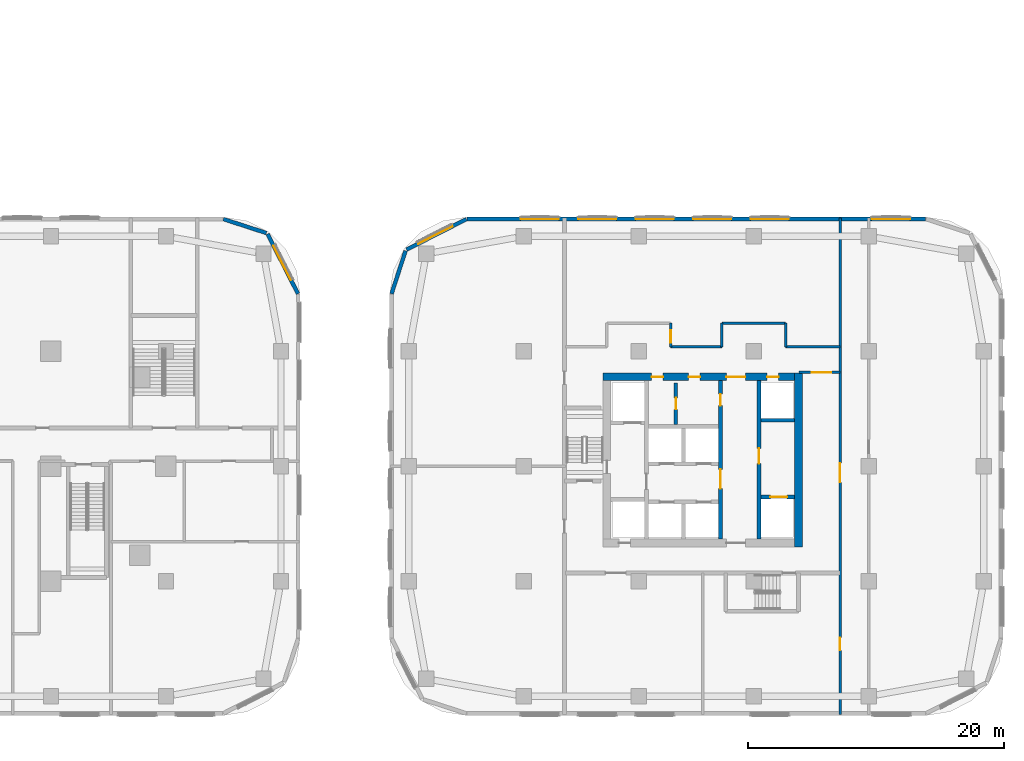
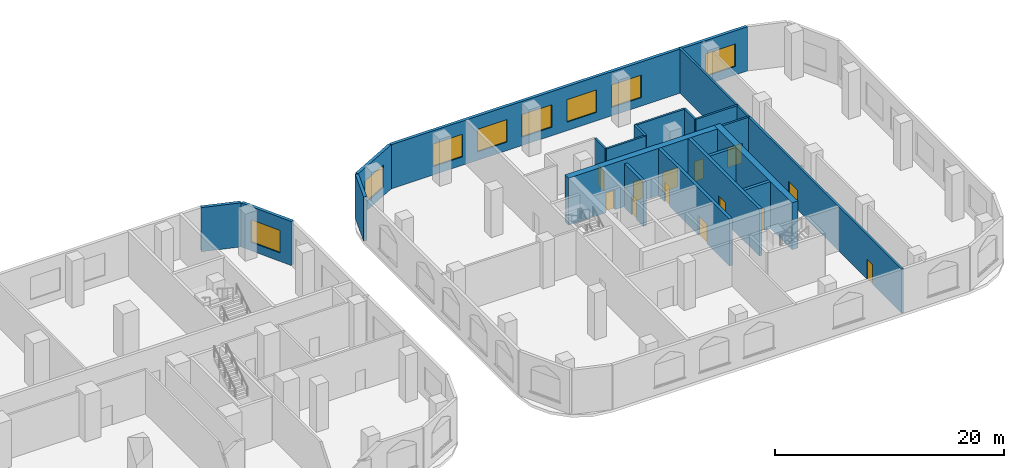
# One storey, part 10 of 31: 20 walls, 13 doors, 8 windows, 21 openings.
"""IFC4 building model written with IfcOpenShell, lengths in metres."""

from ifc_helpers import new_model, si_unit, direction, frame, frame_2d, origin, place, context, subcontext, project, spatial, rectangle, extrude, material, layer, layer_set, type_object, element, fill, save


model = new_model("IFC4")

# Units and contexts
model_context = context("Model", 3, precision=1e-05, world=origin(), true_north=direction((0.0, 1.0)))
body_context = subcontext(model_context, "Body", "Model", "MODEL_VIEW")
ifc_project = project(units=[si_unit("LENGTHUNIT", "METRE"), si_unit("AREAUNIT", "SQUARE_METRE"), si_unit("VOLUMEUNIT", "CUBIC_METRE"), si_unit("PLANEANGLEUNIT", "RADIAN"), si_unit("MASSUNIT", "GRAM", prefix="KILO")], contexts=[model_context])

# Site, building, storey
site_placement = place(None, origin())
site = spatial("IfcSite", under=ifc_project, at=site_placement, CompositionType="ELEMENT")
building_placement = place(site_placement, origin())
building = spatial("IfcBuilding", under=site, at=building_placement, Name="Ogive Portal Towers", CompositionType="ELEMENT")
storey_placement = place(building_placement, frame((0.0, 0.0, 13.5)))
storey = spatial("IfcBuildingStorey", under=building, at=storey_placement, Name="L02", CompositionType="ELEMENT", Elevation=13.5)

# Wall, openings, doors
ifc_material_1 = material(Name="Concrete C60/75", Category="concrete")
ifc_layer_1 = layer(ifc_material_1, 0.300048828125)
ifc_layer_set_1 = layer_set([ifc_layer_1], Name="CORE WALL 300 C60")
wall_type_1 = type_object("IfcWallType", Name="CORE WALL 300 C60", PredefinedType="SHEAR", material=ifc_layer_set_1)
wall_1_placement = place(storey_placement, frame((137.89990234375, 24.800048828125, 0.0), z_axis=(0.0, 0.0, 1.0), x_axis=(0.0, 1.0, 0.0)))
wall_1 = element("IfcWall", 1, at=wall_1_placement, inside=storey, type_object=wall_type_1, Name="Tower B core wall BX2 L02", PredefinedType="SHEAR", context=body_context, shape_type="SweptSolid", body=[
    extrude(rectangle(XDim=12.39990234375, YDim=0.300048828125, at=frame_2d((6.199951171875, 0.0))), origin(), (0.0, 0.0, 1.0), 5.0),
])
opening_1_placement = place(wall_1_placement, frame((3.949951171875, 0.0, 0.0)))
opening_1 = element("IfcOpeningElement", 2, at=opening_1_placement, cuts=wall_1, Name="Opening P02-040", PredefinedType="OPENING", context=body_context, shape_type="SweptSolid", body=[
    extrude(rectangle(XDim=1.5, YDim=2.10009765625, at=frame_2d((0.75, 1.050048828125))), frame((0.0, 0.16015625, 0.0), z_axis=(0.0, -1.0, 0.0), x_axis=(1.0, 0.0, 0.0)), (0.0, 0.0, 1.0), 0.320068359375),
])
opening_2_placement = place(wall_1_placement, frame((10.449951171875, 0.0, 0.0)))
opening_2 = element("IfcOpeningElement", 3, at=opening_2_placement, cuts=wall_1, Name="Opening P02-056", PredefinedType="OPENING", context=body_context, shape_type="SweptSolid", body=[
    extrude(rectangle(XDim=0.89990234375, YDim=2.10009765625, at=frame_2d((0.449951171875, 1.050048828125))), frame((0.0, 0.16015625, 0.0), z_axis=(0.0, -1.0, 0.0), x_axis=(1.0, 0.0, 0.0)), (0.0, 0.0, 1.0), 0.320068359375),
])
ifc_material_2 = material(Name="Steel fire door", Category="steel")
door_type_1 = type_object("IfcDoorType", Name="DT-SWING-1500x2100-FD90S", OperationType="SINGLE_SWING_LEFT", PredefinedType="DOOR", material=ifc_material_2)
door_1_placement = place(opening_1_placement, origin())
door_1 = element("IfcDoor", 4, at=door_1_placement, inside=storey, type_object=door_type_1, Name="Door P02-040", OperationType="SINGLE_SWING_RIGHT", OverallHeight=2.10009765625, OverallWidth=1.5, PredefinedType="DOOR", context=body_context, shape_type="SweptSolid", body=[
    extrude(rectangle(XDim=1.5, YDim=2.10009765625, at=frame_2d((0.75, 1.050048828125))), frame((0.0, 0.02490234375, 0.0), z_axis=(0.0, -1.0, 0.0), x_axis=(1.0, 0.0, 0.0)), (0.0, 0.0, 1.0), 0.050048828125),
])
fill(opening_1, door_1)
door_type_2 = type_object("IfcDoorType", Name="DT-SWING-900x2100-FD90S", OperationType="SINGLE_SWING_LEFT", PredefinedType="DOOR", material=ifc_material_2)
door_2_placement = place(opening_2_placement, origin())
door_2 = element("IfcDoor", 5, at=door_2_placement, inside=storey, type_object=door_type_2, Name="Door P02-056", OperationType="SINGLE_SWING_RIGHT", OverallHeight=2.10009765625, OverallWidth=0.89990234375, PredefinedType="DOOR", context=body_context, shape_type="SweptSolid", body=[
    extrude(rectangle(XDim=0.89990234375, YDim=2.10009765625, at=frame_2d((0.449951171875, 1.050048828125))), frame((0.0, 0.02490234375, 0.0), z_axis=(0.0, -1.0, 0.0), x_axis=(1.0, 0.0, 0.0)), (0.0, 0.0, 1.0), 0.050048828125),
])
fill(opening_2, door_2)

# Wall, opening, door
wall_2_placement = place(storey_placement, frame((140.89990234375, 24.800048828125, 0.0), z_axis=(0.0, 0.0, 1.0), x_axis=(0.0, 1.0, 0.0)))
wall_2 = element("IfcWall", 6, at=wall_2_placement, inside=storey, type_object=wall_type_1, Name="Tower B core wall BX3 L02", PredefinedType="SHEAR", context=body_context, shape_type="SweptSolid", body=[
    extrude(rectangle(XDim=12.39990234375, YDim=0.300048828125, at=frame_2d((6.199951171875, 0.0))), origin(), (0.0, 0.0, 1.0), 5.0),
])
opening_3_placement = place(wall_2_placement, frame((5.89990234375, 0.0, 0.0)))
opening_3 = element("IfcOpeningElement", 7, at=opening_3_placement, cuts=wall_2, Name="Opening P02-042", PredefinedType="OPENING", context=body_context, shape_type="SweptSolid", body=[
    extrude(rectangle(XDim=1.199951171875, YDim=2.10009765625, at=frame_2d((0.60009765625, 1.050048828125))), frame((0.0, 0.16015625, 0.0), z_axis=(0.0, -1.0, 0.0), x_axis=(1.0, 0.0, 0.0)), (0.0, 0.0, 1.0), 0.320068359375),
])
door_type_3 = type_object("IfcDoorType", Name="DT-SWING-1200x2100-FD90S", OperationType="SINGLE_SWING_LEFT", PredefinedType="DOOR", material=ifc_material_2)
door_3_placement = place(opening_3_placement, origin())
door_3 = element("IfcDoor", 8, at=door_3_placement, inside=storey, type_object=door_type_3, Name="Door P02-042", OperationType="SINGLE_SWING_RIGHT", OverallHeight=2.10009765625, OverallWidth=1.199951171875, PredefinedType="DOOR", context=body_context, shape_type="SweptSolid", body=[
    extrude(rectangle(XDim=1.199951171875, YDim=2.10009765625, at=frame_2d((0.60009765625, 1.050048828125))), frame((0.0, 0.02490234375, 0.0), z_axis=(0.0, -1.0, 0.0), x_axis=(1.0, 0.0, 0.0)), (0.0, 0.0, 1.0), 0.050048828125),
])
fill(opening_3, door_3)

wall_3_placement = place(storey_placement, frame((141.050048828125, 28.10009765625, 0.0), z_axis=(0.0, 0.0, 1.0), x_axis=(1.0, 0.0, 0.0)))
wall_3 = element("IfcWall", 9, at=wall_3_placement, inside=storey, type_object=wall_type_1, Name="Tower B core wall BY6 L02", PredefinedType="SHEAR", context=body_context, shape_type="SweptSolid", body=[
    extrude(rectangle(XDim=2.64990234375, YDim=0.300048828125, at=frame_2d((1.324951171875, 0.0))), origin(), (0.0, 0.0, 1.0), 5.0),
])
opening_4_placement = place(wall_3_placement, frame((0.75, 0.0, 0.0)))
opening_4 = element("IfcOpeningElement", 10, at=opening_4_placement, cuts=wall_3, Name="Opening P02-053", PredefinedType="OPENING", context=body_context, shape_type="SweptSolid", body=[
    extrude(rectangle(XDim=1.300048828125, YDim=2.39990234375, at=frame_2d((0.64990234375, 1.199951171875))), frame((0.0, 0.16015625, 0.0), z_axis=(0.0, -1.0, 0.0), x_axis=(1.0, 0.0, 0.0)), (0.0, 0.0, 1.0), 0.320068359375),
])
ifc_material_3 = material(Name="Stainless steel", Category="steel")
door_type_4 = type_object("IfcDoorType", Name="DT-LD-1300x2400", OperationType="SLIDING_TO_LEFT", PredefinedType="DOOR", material=ifc_material_3)
door_4_placement = place(opening_4_placement, origin())
door_4 = element("IfcDoor", 11, at=door_4_placement, inside=storey, type_object=door_type_4, Name="Door P02-053", OperationType="SLIDING_TO_LEFT", OverallHeight=2.39990234375, OverallWidth=1.300048828125, PredefinedType="DOOR", context=body_context, shape_type="SweptSolid", body=[
    extrude(rectangle(XDim=1.300048828125, YDim=2.39990234375, at=frame_2d((0.64990234375, 1.199951171875))), frame((0.0, 0.02490234375, 0.0), z_axis=(0.0, -1.0, 0.0), x_axis=(1.0, 0.0, 0.0)), (0.0, 0.0, 1.0), 0.050048828125),
])
fill(opening_4, door_4)

# Walls
wall_4_placement = place(storey_placement, frame((141.050048828125, 34.10009765625, 0.0), z_axis=(0.0, 0.0, 1.0), x_axis=(1.0, 0.0, 0.0)))
element("IfcWall", 12, at=wall_4_placement, inside=storey, type_object=wall_type_1, Name="Tower B core wall BY7 L02", PredefinedType="SHEAR", context=body_context, shape_type="SweptSolid", body=[
    extrude(rectangle(XDim=2.64990234375, YDim=0.300048828125, at=frame_2d((1.324951171875, 0.0))), origin(), (0.0, 0.0, 1.0), 5.0),
])
ifc_layer_2 = layer(ifc_material_1, 0.60009765625)
ifc_layer_set_2 = layer_set([ifc_layer_2], Name="CORE WALL 600 C60")
wall_type_2 = type_object("IfcWallType", Name="CORE WALL 600 C60", PredefinedType="SHEAR", material=ifc_layer_set_2)
wall_5_placement = place(storey_placement, frame((144.0, 24.199951171875, 0.0), z_axis=(0.0, 0.0, 1.0), x_axis=(0.0, 1.0, 0.0)))
element("IfcWall", 13, at=wall_5_placement, inside=storey, type_object=wall_type_2, Name="Tower B core wall BE L02", PredefinedType="SHEAR", context=body_context, shape_type="SweptSolid", body=[
    extrude(rectangle(XDim=13.60009765625, YDim=0.60009765625, at=frame_2d((6.800048828125, 0.0))), origin(), (0.0, 0.0, 1.0), 5.0),
])

# Wall, openings, doors
wall_6_placement = place(storey_placement, frame((128.699951171875, 37.5, 0.0), z_axis=(0.0, 0.0, 1.0), x_axis=(1.0, 0.0, 0.0)))
wall_6 = element("IfcWall", 14, at=wall_6_placement, inside=storey, type_object=wall_type_2, Name="Tower B core wall BN L02", PredefinedType="SHEAR", context=body_context, shape_type="SweptSolid", body=[
    extrude(rectangle(XDim=15.0, YDim=0.60009765625, at=frame_2d((7.5, 0.0))), origin(), (0.0, 0.0, 1.0), 5.0),
])
opening_5_placement = place(wall_6_placement, frame((9.64990234375, 0.0, 0.0)))
opening_5 = element("IfcOpeningElement", 15, at=opening_5_placement, cuts=wall_6, Name="Opening P02-045", PredefinedType="OPENING", context=body_context, shape_type="SweptSolid", body=[
    extrude(rectangle(XDim=1.5, YDim=2.10009765625, at=frame_2d((0.75, 1.050048828125))), frame((0.0, 0.31005859375, 0.0), z_axis=(0.0, -1.0, 0.0), x_axis=(1.0, 0.0, 0.0)), (0.0, 0.0, 1.0), 0.6201171875),
])
opening_6_placement = place(wall_6_placement, frame((12.85009765625, 0.0, 0.0)))
opening_6 = element("IfcOpeningElement", 16, at=opening_6_placement, cuts=wall_6, Name="Opening P02-047", PredefinedType="OPENING", context=body_context, shape_type="SweptSolid", body=[
    extrude(rectangle(XDim=0.89990234375, YDim=2.10009765625, at=frame_2d((0.449951171875, 1.050048828125))), frame((0.0, 0.31005859375, 0.0), z_axis=(0.0, -1.0, 0.0), x_axis=(1.0, 0.0, 0.0)), (0.0, 0.0, 1.0), 0.6201171875),
])
opening_7_placement = place(wall_6_placement, frame((3.800048828125, 0.0, 0.0)))
opening_7 = element("IfcOpeningElement", 17, at=opening_7_placement, cuts=wall_6, Name="Opening P02-054", PredefinedType="OPENING", context=body_context, shape_type="SweptSolid", body=[
    extrude(rectangle(XDim=0.89990234375, YDim=2.10009765625, at=frame_2d((0.449951171875, 1.050048828125))), frame((0.0, 0.31005859375, 0.0), z_axis=(0.0, -1.0, 0.0), x_axis=(1.0, 0.0, 0.0)), (0.0, 0.0, 1.0), 0.6201171875),
])
opening_8_placement = place(wall_6_placement, frame((6.699951171875, 0.0, 0.0)))
opening_8 = element("IfcOpeningElement", 18, at=opening_8_placement, cuts=wall_6, Name="Opening P02-055", PredefinedType="OPENING", context=body_context, shape_type="SweptSolid", body=[
    extrude(rectangle(XDim=0.89990234375, YDim=2.10009765625, at=frame_2d((0.449951171875, 1.050048828125))), frame((0.0, 0.31005859375, 0.0), z_axis=(0.0, -1.0, 0.0), x_axis=(1.0, 0.0, 0.0)), (0.0, 0.0, 1.0), 0.6201171875),
])
door_5_placement = place(opening_5_placement, origin())
door_5 = element("IfcDoor", 19, at=door_5_placement, inside=storey, type_object=door_type_1, Name="Door P02-045", OperationType="SINGLE_SWING_RIGHT", OverallHeight=2.10009765625, OverallWidth=1.5, PredefinedType="DOOR", context=body_context, shape_type="SweptSolid", body=[
    extrude(rectangle(XDim=1.5, YDim=2.10009765625, at=frame_2d((0.75, 1.050048828125))), frame((0.0, 0.02490234375, 0.0), z_axis=(0.0, -1.0, 0.0), x_axis=(1.0, 0.0, 0.0)), (0.0, 0.0, 1.0), 0.050048828125),
])
fill(opening_5, door_5)
door_6_placement = place(opening_6_placement, origin())
door_6 = element("IfcDoor", 20, at=door_6_placement, inside=storey, type_object=door_type_2, Name="Riser access door P02-047", OperationType="SINGLE_SWING_RIGHT", OverallHeight=2.10009765625, OverallWidth=0.89990234375, PredefinedType="DOOR", context=body_context, shape_type="SweptSolid", body=[
    extrude(rectangle(XDim=0.89990234375, YDim=2.10009765625, at=frame_2d((0.449951171875, 1.050048828125))), frame((0.0, 0.02490234375, 0.0), z_axis=(0.0, -1.0, 0.0), x_axis=(1.0, 0.0, 0.0)), (0.0, 0.0, 1.0), 0.050048828125),
])
fill(opening_6, door_6)
door_7_placement = place(opening_7_placement, origin())
door_7 = element("IfcDoor", 21, at=door_7_placement, inside=storey, type_object=door_type_2, Name="Door P02-054", OperationType="SINGLE_SWING_LEFT", OverallHeight=2.10009765625, OverallWidth=0.89990234375, PredefinedType="DOOR", context=body_context, shape_type="SweptSolid", body=[
    extrude(rectangle(XDim=0.89990234375, YDim=2.10009765625, at=frame_2d((0.449951171875, 1.050048828125))), frame((0.0, 0.02490234375, 0.0), z_axis=(0.0, -1.0, 0.0), x_axis=(1.0, 0.0, 0.0)), (0.0, 0.0, 1.0), 0.050048828125),
])
fill(opening_7, door_7)
door_8_placement = place(opening_8_placement, origin())
door_8 = element("IfcDoor", 22, at=door_8_placement, inside=storey, type_object=door_type_2, Name="Door P02-055", OperationType="SINGLE_SWING_RIGHT", OverallHeight=2.10009765625, OverallWidth=0.89990234375, PredefinedType="DOOR", context=body_context, shape_type="SweptSolid", body=[
    extrude(rectangle(XDim=0.89990234375, YDim=2.10009765625, at=frame_2d((0.449951171875, 1.050048828125))), frame((0.0, 0.02490234375, 0.0), z_axis=(0.0, -1.0, 0.0), x_axis=(1.0, 0.0, 0.0)), (0.0, 0.0, 1.0), 0.050048828125),
])
fill(opening_8, door_8)

# Wall, opening, window
ifc_material_4 = material(Name="Limestone cladding on lightweight block wall", Category="masonry")
ifc_layer_3 = layer(ifc_material_4, 0.300048828125)
ifc_layer_set_3 = layer_set([ifc_layer_3], Name="EXTERNAL WALL 300 STONE")
wall_type_3 = type_object("IfcWallType", Name="EXTERNAL WALL 300 STONE", PredefinedType="SOLIDWALL", material=ifc_layer_set_3)
wall_7_placement = place(storey_placement, frame((104.833740234375, 43.99609375, 0.0), z_axis=(0.0, 0.0, 1.0), x_axis=(-0.454006562826, 0.890998339455, 0.0)))
wall_7 = element("IfcWall", 23, at=wall_7_placement, inside=storey, type_object=wall_type_3, Name="A:L02:f06:w0", PredefinedType="SOLIDWALL", context=body_context, shape_type="SweptSolid", body=[
    extrude(rectangle(XDim=5.251708984375, YDim=0.300048828125, at=frame_2d((2.6259765625, 0.0))), origin(), (0.0, 0.0, 1.0), 4.699951171875),
])
opening_9_placement = place(wall_7_placement, frame((1.223876953125, 0.0, 0.89990234375)))
opening_9 = element("IfcOpeningElement", 24, at=opening_9_placement, cuts=wall_7, Name="Opening WN3", PredefinedType="OPENING", context=body_context, shape_type="SweptSolid", body=[
    extrude(rectangle(XDim=3.0, YDim=2.39990234375, at=frame_2d((1.5, 1.199951171875))), frame((0.0, 0.16015625, 0.0), z_axis=(0.0, -1.0, 0.0), x_axis=(1.0, 0.0, 0.0)), (0.0, 0.0, 1.0), 0.320068359375),
])
ifc_material_5 = material(Name="Glass, clear low-iron insulated glazing", Category="glass")
window_type = type_object("IfcWindowType", Name="WINDOW PODIUM 3000x2400", PartitioningType="SINGLE_PANEL", PredefinedType="WINDOW", material=ifc_material_5)
window_1_placement = place(opening_9_placement, origin())
window_1 = element("IfcWindow", 25, at=window_1_placement, inside=storey, type_object=window_type, Name="A:L02:f06:w0:o0", OverallHeight=2.39990234375, OverallWidth=3.0, PartitioningType="SINGLE_PANEL", PredefinedType="WINDOW", context=body_context, shape_type="SweptSolid", body=[
    extrude(rectangle(XDim=3.0, YDim=2.39990234375, at=frame_2d((1.5, 1.199951171875))), frame((0.0, 0.030029296875, 0.0), z_axis=(0.0, -1.0, 0.0), x_axis=(1.0, 0.0, 0.0)), (0.0, 0.0, 1.0), 0.06005859375),
])
fill(opening_9, window_1)

# Wall
wall_8_placement = place(storey_placement, frame((102.362060546875, 48.749755859375, 0.0), z_axis=(0.0, 0.0, 1.0), x_axis=(-0.951038127287, 0.309073584194, 0.0)))
element("IfcWall", 26, at=wall_8_placement, inside=storey, type_object=wall_type_3, Name="A:L02:f07:w0", PredefinedType="SOLIDWALL", context=body_context, shape_type="SweptSolid", body=[
    extrude(rectangle(XDim=3.536376953125, YDim=0.300048828125, at=frame_2d((1.76806640625, 0.0))), origin(), (0.0, 0.0, 1.0), 4.699951171875),
])

# Wall, openings, windows
wall_9_placement = place(storey_placement, frame((153.952392578125, 49.85009765625, 0.0), z_axis=(0.0, 0.0, 1.0), x_axis=(-1.0, 0.0, 0.0)))
wall_9 = element("IfcWall", 27, at=wall_9_placement, inside=storey, type_object=wall_type_3, Name="B:L02:f08:w0", PredefinedType="SOLIDWALL", context=body_context, shape_type="SweptSolid", body=[
    extrude(rectangle(XDim=35.88037109375, YDim=0.300048828125, at=frame_2d((17.940185546875, 0.0))), origin(), (0.0, 0.0, 1.0), 4.699951171875),
])
opening_10_placement = place(wall_9_placement, frame((1.226318359375, 0.0, 0.89990234375)))
opening_10 = element("IfcOpeningElement", 28, at=opening_10_placement, cuts=wall_9, Name="Opening WN3", PredefinedType="OPENING", context=body_context, shape_type="SweptSolid", body=[
    extrude(rectangle(XDim=3.0, YDim=2.39990234375, at=frame_2d((1.5, 1.199951171875))), frame((0.0, 0.16015625, 0.0), z_axis=(0.0, -1.0, 0.0), x_axis=(1.0, 0.0, 0.0)), (0.0, 0.0, 1.0), 0.320068359375),
])
opening_11_placement = place(wall_9_placement, frame((10.702392578125, 0.0, 0.89990234375)))
opening_11 = element("IfcOpeningElement", 29, at=opening_11_placement, cuts=wall_9, Name="Opening WN3", PredefinedType="OPENING", context=body_context, shape_type="SweptSolid", body=[
    extrude(rectangle(XDim=3.0, YDim=2.39990234375, at=frame_2d((1.5, 1.199951171875))), frame((0.0, 0.16015625, 0.0), z_axis=(0.0, -1.0, 0.0), x_axis=(1.0, 0.0, 0.0)), (0.0, 0.0, 1.0), 0.320068359375),
])
opening_12_placement = place(wall_9_placement, frame((15.202392578125, 0.0, 0.89990234375)))
opening_12 = element("IfcOpeningElement", 30, at=opening_12_placement, cuts=wall_9, Name="Opening WN3", PredefinedType="OPENING", context=body_context, shape_type="SweptSolid", body=[
    extrude(rectangle(XDim=3.0, YDim=2.39990234375, at=frame_2d((1.5, 1.199951171875))), frame((0.0, 0.16015625, 0.0), z_axis=(0.0, -1.0, 0.0), x_axis=(1.0, 0.0, 0.0)), (0.0, 0.0, 1.0), 0.320068359375),
])
opening_13_placement = place(wall_9_placement, frame((19.702392578125, 0.0, 0.89990234375)))
opening_13 = element("IfcOpeningElement", 31, at=opening_13_placement, cuts=wall_9, Name="Opening WN3", PredefinedType="OPENING", context=body_context, shape_type="SweptSolid", body=[
    extrude(rectangle(XDim=3.0, YDim=2.39990234375, at=frame_2d((1.5, 1.199951171875))), frame((0.0, 0.16015625, 0.0), z_axis=(0.0, -1.0, 0.0), x_axis=(1.0, 0.0, 0.0)), (0.0, 0.0, 1.0), 0.320068359375),
])
opening_14_placement = place(wall_9_placement, frame((24.202392578125, 0.0, 0.89990234375)))
opening_14 = element("IfcOpeningElement", 32, at=opening_14_placement, cuts=wall_9, Name="Opening WN3", PredefinedType="OPENING", context=body_context, shape_type="SweptSolid", body=[
    extrude(rectangle(XDim=3.0, YDim=2.39990234375, at=frame_2d((1.5, 1.199951171875))), frame((0.0, 0.16015625, 0.0), z_axis=(0.0, -1.0, 0.0), x_axis=(1.0, 0.0, 0.0)), (0.0, 0.0, 1.0), 0.320068359375),
])
opening_15_placement = place(wall_9_placement, frame((28.702392578125, 0.0, 0.89990234375)))
opening_15 = element("IfcOpeningElement", 33, at=opening_15_placement, cuts=wall_9, Name="Opening WN3", PredefinedType="OPENING", context=body_context, shape_type="SweptSolid", body=[
    extrude(rectangle(XDim=3.0, YDim=2.39990234375, at=frame_2d((1.5, 1.199951171875))), frame((0.0, 0.16015625, 0.0), z_axis=(0.0, -1.0, 0.0), x_axis=(1.0, 0.0, 0.0)), (0.0, 0.0, 1.0), 0.320068359375),
])
window_2_placement = place(opening_10_placement, origin())
window_2 = element("IfcWindow", 34, at=window_2_placement, inside=storey, type_object=window_type, Name="B:L02:f08:w0:o0", OverallHeight=2.39990234375, OverallWidth=3.0, PartitioningType="SINGLE_PANEL", PredefinedType="WINDOW", context=body_context, shape_type="SweptSolid", body=[
    extrude(rectangle(XDim=3.0, YDim=2.39990234375, at=frame_2d((1.5, 1.199951171875))), frame((0.0, 0.030029296875, 0.0), z_axis=(0.0, -1.0, 0.0), x_axis=(1.0, 0.0, 0.0)), (0.0, 0.0, 1.0), 0.06005859375),
])
fill(opening_10, window_2)
window_3_placement = place(opening_11_placement, origin())
window_3 = element("IfcWindow", 35, at=window_3_placement, inside=storey, type_object=window_type, Name="B:L02:f08:w0:o1b", OverallHeight=2.39990234375, OverallWidth=3.0, PartitioningType="SINGLE_PANEL", PredefinedType="WINDOW", context=body_context, shape_type="SweptSolid", body=[
    extrude(rectangle(XDim=3.0, YDim=2.39990234375, at=frame_2d((1.5, 1.199951171875))), frame((0.0, 0.030029296875, 0.0), z_axis=(0.0, -1.0, 0.0), x_axis=(1.0, 0.0, 0.0)), (0.0, 0.0, 1.0), 0.06005859375),
])
fill(opening_11, window_3)
window_4_placement = place(opening_12_placement, origin())
window_4 = element("IfcWindow", 36, at=window_4_placement, inside=storey, type_object=window_type, Name="B:L02:f08:w0:o2a", OverallHeight=2.39990234375, OverallWidth=3.0, PartitioningType="SINGLE_PANEL", PredefinedType="WINDOW", context=body_context, shape_type="SweptSolid", body=[
    extrude(rectangle(XDim=3.0, YDim=2.39990234375, at=frame_2d((1.5, 1.199951171875))), frame((0.0, 0.030029296875, 0.0), z_axis=(0.0, -1.0, 0.0), x_axis=(1.0, 0.0, 0.0)), (0.0, 0.0, 1.0), 0.06005859375),
])
fill(opening_12, window_4)
window_5_placement = place(opening_13_placement, origin())
window_5 = element("IfcWindow", 37, at=window_5_placement, inside=storey, type_object=window_type, Name="B:L02:f08:w0:o2b", OverallHeight=2.39990234375, OverallWidth=3.0, PartitioningType="SINGLE_PANEL", PredefinedType="WINDOW", context=body_context, shape_type="SweptSolid", body=[
    extrude(rectangle(XDim=3.0, YDim=2.39990234375, at=frame_2d((1.5, 1.199951171875))), frame((0.0, 0.030029296875, 0.0), z_axis=(0.0, -1.0, 0.0), x_axis=(1.0, 0.0, 0.0)), (0.0, 0.0, 1.0), 0.06005859375),
])
fill(opening_13, window_5)
window_6_placement = place(opening_14_placement, origin())
window_6 = element("IfcWindow", 38, at=window_6_placement, inside=storey, type_object=window_type, Name="B:L02:f08:w0:o3a", OverallHeight=2.39990234375, OverallWidth=3.0, PartitioningType="SINGLE_PANEL", PredefinedType="WINDOW", context=body_context, shape_type="SweptSolid", body=[
    extrude(rectangle(XDim=3.0, YDim=2.39990234375, at=frame_2d((1.5, 1.199951171875))), frame((0.0, 0.030029296875, 0.0), z_axis=(0.0, -1.0, 0.0), x_axis=(1.0, 0.0, 0.0)), (0.0, 0.0, 1.0), 0.06005859375),
])
fill(opening_14, window_6)
window_7_placement = place(opening_15_placement, origin())
window_7 = element("IfcWindow", 39, at=window_7_placement, inside=storey, type_object=window_type, Name="B:L02:f08:w0:o3b", OverallHeight=2.39990234375, OverallWidth=3.0, PartitioningType="SINGLE_PANEL", PredefinedType="WINDOW", context=body_context, shape_type="SweptSolid", body=[
    extrude(rectangle(XDim=3.0, YDim=2.39990234375, at=frame_2d((1.5, 1.199951171875))), frame((0.0, 0.030029296875, 0.0), z_axis=(0.0, -1.0, 0.0), x_axis=(1.0, 0.0, 0.0)), (0.0, 0.0, 1.0), 0.06005859375),
])
fill(opening_15, window_7)

# Wall, opening, window
wall_10_placement = place(storey_placement, frame((118.00390625, 49.833740234375, 0.0), z_axis=(0.0, 0.0, 1.0), x_axis=(-0.890998339455, -0.454006562826, 0.0)))
wall_10 = element("IfcWall", 40, at=wall_10_placement, inside=storey, type_object=wall_type_3, Name="B:L02:f09:w0", PredefinedType="SOLIDWALL", context=body_context, shape_type="SweptSolid", body=[
    extrude(rectangle(XDim=5.251708984375, YDim=0.300048828125, at=frame_2d((2.6259765625, 0.0))), origin(), (0.0, 0.0, 1.0), 4.699951171875),
])
opening_16_placement = place(wall_10_placement, frame((1.223876953125, 0.0, 0.89990234375)))
opening_16 = element("IfcOpeningElement", 41, at=opening_16_placement, cuts=wall_10, Name="Opening WN3", PredefinedType="OPENING", context=body_context, shape_type="SweptSolid", body=[
    extrude(rectangle(XDim=3.0, YDim=2.39990234375, at=frame_2d((1.5, 1.199951171875))), frame((0.0, 0.16015625, 0.0), z_axis=(0.0, -1.0, 0.0), x_axis=(1.0, 0.0, 0.0)), (0.0, 0.0, 1.0), 0.320068359375),
])
window_8_placement = place(opening_16_placement, origin())
window_8 = element("IfcWindow", 42, at=window_8_placement, inside=storey, type_object=window_type, Name="B:L02:f09:w0:o0", OverallHeight=2.39990234375, OverallWidth=3.0, PartitioningType="SINGLE_PANEL", PredefinedType="WINDOW", context=body_context, shape_type="SweptSolid", body=[
    extrude(rectangle(XDim=3.0, YDim=2.39990234375, at=frame_2d((1.5, 1.199951171875))), frame((0.0, 0.030029296875, 0.0), z_axis=(0.0, -1.0, 0.0), x_axis=(1.0, 0.0, 0.0)), (0.0, 0.0, 1.0), 0.06005859375),
])
fill(opening_16, window_8)

# Wall
wall_11_placement = place(storey_placement, frame((113.250244140625, 47.362060546875, 0.0), z_axis=(0.0, 0.0, 1.0), x_axis=(-0.309073584194, -0.951038127287, 0.0)))
element("IfcWall", 43, at=wall_11_placement, inside=storey, type_object=wall_type_3, Name="B:L02:f10:w0", PredefinedType="SOLIDWALL", context=body_context, shape_type="SweptSolid", body=[
    extrude(rectangle(XDim=3.536376953125, YDim=0.300048828125, at=frame_2d((1.76806640625, 0.0))), origin(), (0.0, 0.0, 1.0), 4.699951171875),
])

# Wall, opening, door
ifc_material_6 = material(Name="Gypsum board partition on steel studs", Category="steel")
ifc_layer_4 = layer(ifc_material_6, 0.199951171875)
ifc_layer_set_4 = layer_set([ifc_layer_4], Name="WT-PART-200-EI 60")
wall_type_4 = type_object("IfcWallType", Name="WT-PART-200-EI 60", PredefinedType="PARTITIONING", material=ifc_layer_set_4)
wall_12_placement = place(storey_placement, frame((144.02001953125, 37.85009765625, 0.0), z_axis=(0.0, 0.0, 1.0), x_axis=(1.0, 0.0, 0.0)))
wall_12 = element("IfcWall", 44, at=wall_12_placement, inside=storey, type_object=wall_type_4, Name="Wall L02:w019", PredefinedType="PARTITIONING", context=body_context, shape_type="SweptSolid", body=[
    extrude(rectangle(XDim=3.22998046875, YDim=0.199951171875, at=frame_2d((1.614990234375, 0.0))), origin(), (0.0, 0.0, 1.0), 4.699951171875),
])
opening_17_placement = place(wall_12_placement, frame((1.030029296875, 0.0, 0.0)))
opening_17 = element("IfcOpeningElement", 45, at=opening_17_placement, cuts=wall_12, Name="Opening P02-029", PredefinedType="OPENING", context=body_context, shape_type="SweptSolid", body=[
    extrude(rectangle(XDim=1.5, YDim=2.10009765625, at=frame_2d((0.75, 1.050048828125))), frame((0.0, 0.10986328125, 0.0), z_axis=(0.0, -1.0, 0.0), x_axis=(1.0, 0.0, 0.0)), (0.0, 0.0, 1.0), 0.219970703125),
])
door_type_5 = type_object("IfcDoorType", Name="DT-SWING-1500x2100-FD60S", OperationType="SINGLE_SWING_LEFT", PredefinedType="DOOR", material=ifc_material_2)
door_9_placement = place(opening_17_placement, origin())
door_9 = element("IfcDoor", 46, at=door_9_placement, inside=storey, type_object=door_type_5, Name="Door P02-029", OperationType="SINGLE_SWING_LEFT", OverallHeight=2.10009765625, OverallWidth=1.5, PredefinedType="DOOR", context=body_context, shape_type="SweptSolid", body=[
    extrude(rectangle(XDim=1.5, YDim=2.10009765625, at=frame_2d((0.75, 1.050048828125))), frame((0.0, 0.02490234375, 0.0), z_axis=(0.0, -1.0, 0.0), x_axis=(1.0, 0.0, 0.0)), (0.0, 0.0, 1.0), 0.050048828125),
])
fill(opening_17, door_9)

# Walls
wall_13_placement = place(storey_placement, frame((134.0, 39.85009765625, 0.0), z_axis=(0.0, 0.0, 1.0), x_axis=(1.0, 0.0, 0.0)))
element("IfcWall", 47, at=wall_13_placement, inside=storey, type_object=wall_type_4, Name="Wall L02:w023", PredefinedType="PARTITIONING", context=body_context, shape_type="SweptSolid", body=[
    extrude(rectangle(XDim=4.0, YDim=0.199951171875, at=frame_2d((2.0, 0.0))), origin(), (0.0, 0.0, 1.0), 4.699951171875),
])
wall_14_placement = place(storey_placement, frame((143.0, 39.85009765625, 0.0), z_axis=(0.0, 0.0, 1.0), x_axis=(1.0, 0.0, 0.0)))
element("IfcWall", 48, at=wall_14_placement, inside=storey, type_object=wall_type_4, Name="Wall L02:w024", PredefinedType="PARTITIONING", context=body_context, shape_type="SweptSolid", body=[
    extrude(rectangle(XDim=4.25, YDim=0.199951171875, at=frame_2d((2.125, 0.0))), origin(), (0.0, 0.0, 1.0), 4.699951171875),
])
wall_15_placement = place(storey_placement, frame((138.0, 41.699951171875, 0.0), z_axis=(0.0, 0.0, 1.0), x_axis=(1.0, 0.0, 0.0)))
element("IfcWall", 49, at=wall_15_placement, inside=storey, type_object=wall_type_4, Name="Wall L02:w026", PredefinedType="PARTITIONING", context=body_context, shape_type="SweptSolid", body=[
    extrude(rectangle(XDim=5.0, YDim=0.199951171875, at=frame_2d((2.5, 0.0))), origin(), (0.0, 0.0, 1.0), 4.699951171875),
])

# Wall, opening, door
wall_16_placement = place(storey_placement, frame((134.0, 39.85009765625, 0.0), z_axis=(0.0, 0.0, 1.0), x_axis=(0.0, 1.0, 0.0)))
wall_16 = element("IfcWall", 50, at=wall_16_placement, inside=storey, type_object=wall_type_4, Name="Wall L02:w050", PredefinedType="PARTITIONING", context=body_context, shape_type="SweptSolid", body=[
    extrude(rectangle(XDim=1.849853515625, YDim=0.199951171875, at=frame_2d((0.9248046875, 0.0))), origin(), (0.0, 0.0, 1.0), 4.699951171875),
])
opening_18_placement = place(wall_16_placement, frame((0.300048828125, 0.0, 0.0)))
opening_18 = element("IfcOpeningElement", 51, at=opening_18_placement, cuts=wall_16, Name="Opening P02-039", PredefinedType="OPENING", context=body_context, shape_type="SweptSolid", body=[
    extrude(rectangle(XDim=1.0, YDim=2.10009765625, at=frame_2d((0.5, 1.050048828125))), frame((0.0, 0.10986328125, 0.0), z_axis=(0.0, -1.0, 0.0), x_axis=(1.0, 0.0, 0.0)), (0.0, 0.0, 1.0), 0.219970703125),
])
door_type_6 = type_object("IfcDoorType", Name="DT-SWING-1000x2100-FD60S", OperationType="SINGLE_SWING_LEFT", PredefinedType="DOOR", material=ifc_material_2)
door_10_placement = place(opening_18_placement, origin())
door_10 = element("IfcDoor", 52, at=door_10_placement, inside=storey, type_object=door_type_6, Name="Door P02-039", OperationType="SINGLE_SWING_LEFT", OverallHeight=2.10009765625, OverallWidth=1.0, PredefinedType="DOOR", context=body_context, shape_type="SweptSolid", body=[
    extrude(rectangle(XDim=1.0, YDim=2.10009765625, at=frame_2d((0.5, 1.050048828125))), frame((0.0, 0.02490234375, 0.0), z_axis=(0.0, -1.0, 0.0), x_axis=(1.0, 0.0, 0.0)), (0.0, 0.0, 1.0), 0.050048828125),
])
fill(opening_18, door_10)

# Walls
for number, where, z_axis, x_axis, name in (
    (53, (138.0, 39.85009765625, 0.0), (0.0, 0.0, 1.0), (0.0, 1.0, 0.0), "Wall L02:w053"),
    (54, (143.0, 39.85009765625, 0.0), (0.0, 0.0, 1.0), (0.0, 1.0, 0.0), "Wall L02:w055"),
):
    element("IfcWall", number, at=place(storey_placement, frame(where, z_axis=z_axis, x_axis=x_axis)), inside=storey, type_object=wall_type_4, Name=name, PredefinedType="PARTITIONING", context=body_context, shape_type="SweptSolid", body=[
        extrude(rectangle(XDim=1.849853515625, YDim=0.199951171875, at=frame_2d((0.9248046875, 0.0))), origin(), (0.0, 0.0, 1.0), 4.699951171875),
    ])

# Wall, openings, doors
wall_17_placement = place(storey_placement, frame((147.25, 11.070068359375, 0.0), z_axis=(0.0, 0.0, 1.0), x_axis=(0.0, 1.0, 0.0)))
wall_17 = element("IfcWall", 55, at=wall_17_placement, inside=storey, type_object=wall_type_4, Name="Wall L02:w059", PredefinedType="PARTITIONING", context=body_context, shape_type="SweptSolid", body=[
    extrude(rectangle(XDim=38.85986328125, YDim=0.199951171875, at=frame_2d((19.429931640625, 0.0))), origin(), (0.0, 0.0, 1.0), 4.699951171875),
])
opening_19_placement = place(wall_17_placement, frame((18.179931640625, 0.0, 0.0)))
opening_19 = element("IfcOpeningElement", 56, at=opening_19_placement, cuts=wall_17, Name="Opening P02-033", PredefinedType="OPENING", context=body_context, shape_type="SweptSolid", body=[
    extrude(rectangle(XDim=1.5, YDim=2.10009765625, at=frame_2d((0.75, 1.050048828125))), frame((0.0, 0.10986328125, 0.0), z_axis=(0.0, -1.0, 0.0), x_axis=(1.0, 0.0, 0.0)), (0.0, 0.0, 1.0), 0.219970703125),
])
opening_20_placement = place(wall_17_placement, frame((5.030029296875, 0.0, 0.0)))
opening_20 = element("IfcOpeningElement", 57, at=opening_20_placement, cuts=wall_17, Name="Opening P02-038", PredefinedType="OPENING", context=body_context, shape_type="SweptSolid", body=[
    extrude(rectangle(XDim=1.0, YDim=2.10009765625, at=frame_2d((0.5, 1.050048828125))), frame((0.0, 0.10986328125, 0.0), z_axis=(0.0, -1.0, 0.0), x_axis=(1.0, 0.0, 0.0)), (0.0, 0.0, 1.0), 0.219970703125),
])
door_11_placement = place(opening_20_placement, origin())
door_11 = element("IfcDoor", 58, at=door_11_placement, inside=storey, type_object=door_type_6, Name="Door P02-038", OperationType="SINGLE_SWING_RIGHT", OverallHeight=2.10009765625, OverallWidth=1.0, PredefinedType="DOOR", context=body_context, shape_type="SweptSolid", body=[
    extrude(rectangle(XDim=1.0, YDim=2.10009765625, at=frame_2d((0.5, 1.050048828125))), frame((0.0, 0.02490234375, 0.0), z_axis=(0.0, -1.0, 0.0), x_axis=(1.0, 0.0, 0.0)), (0.0, 0.0, 1.0), 0.050048828125),
])
fill(opening_20, door_11)
door_12_placement = place(opening_19_placement, origin())
door_12 = element("IfcDoor", 59, at=door_12_placement, inside=storey, type_object=door_type_5, Name="Door P02-033", OperationType="SINGLE_SWING_LEFT", OverallHeight=2.10009765625, OverallWidth=1.5, PredefinedType="DOOR", context=body_context, shape_type="SweptSolid", body=[
    extrude(rectangle(XDim=1.5, YDim=2.10009765625, at=frame_2d((0.75, 1.050048828125))), frame((0.0, 0.02490234375, 0.0), z_axis=(0.0, -1.0, 0.0), x_axis=(1.0, 0.0, 0.0)), (0.0, 0.0, 1.0), 0.050048828125),
])
fill(opening_19, door_12)

# Wall, opening, door
ifc_layer_5 = layer(ifc_material_6, 0.300048828125)
ifc_layer_set_5 = layer_set([ifc_layer_5], Name="WT-PART-300-EI 60")
wall_type_5 = type_object("IfcWallType", Name="WT-PART-300-EI 60", PredefinedType="PARTITIONING", material=ifc_layer_set_5)
wall_18_placement = place(storey_placement, frame((134.39990234375, 33.77001953125, 0.0), z_axis=(0.0, 0.0, 1.0), x_axis=(0.0, 1.0, 0.0)))
wall_18 = element("IfcWall", 60, at=wall_18_placement, inside=storey, type_object=wall_type_5, Name="Wall L02:w051", PredefinedType="PARTITIONING", context=body_context, shape_type="SweptSolid", body=[
    extrude(rectangle(XDim=3.260009765625, YDim=0.300048828125, at=frame_2d((1.6298828125, 0.0))), origin(), (0.0, 0.0, 1.0), 4.699951171875),
])
opening_21_placement = place(wall_18_placement, frame((1.179931640625, 0.0, 0.0)))
opening_21 = element("IfcOpeningElement", 61, at=opening_21_placement, cuts=wall_18, Name="Opening P02-032", PredefinedType="OPENING", context=body_context, shape_type="SweptSolid", body=[
    extrude(rectangle(XDim=0.89990234375, YDim=2.10009765625, at=frame_2d((0.449951171875, 1.050048828125))), frame((0.0, 0.16015625, 0.0), z_axis=(0.0, -1.0, 0.0), x_axis=(1.0, 0.0, 0.0)), (0.0, 0.0, 1.0), 0.320068359375),
])
door_type_7 = type_object("IfcDoorType", Name="DT-SWING-900x2100-FD60S", OperationType="SINGLE_SWING_LEFT", PredefinedType="DOOR", material=ifc_material_2)
door_13_placement = place(opening_21_placement, origin())
door_13 = element("IfcDoor", 62, at=door_13_placement, inside=storey, type_object=door_type_7, Name="Door P02-032", OperationType="SINGLE_SWING_RIGHT", OverallHeight=2.10009765625, OverallWidth=0.89990234375, PredefinedType="DOOR", context=body_context, shape_type="SweptSolid", body=[
    extrude(rectangle(XDim=0.89990234375, YDim=2.10009765625, at=frame_2d((0.449951171875, 1.050048828125))), frame((0.0, 0.02490234375, 0.0), z_axis=(0.0, -1.0, 0.0), x_axis=(1.0, 0.0, 0.0)), (0.0, 0.0, 1.0), 0.050048828125),
])
fill(opening_21, door_13)

save(model, "model.ifc")
